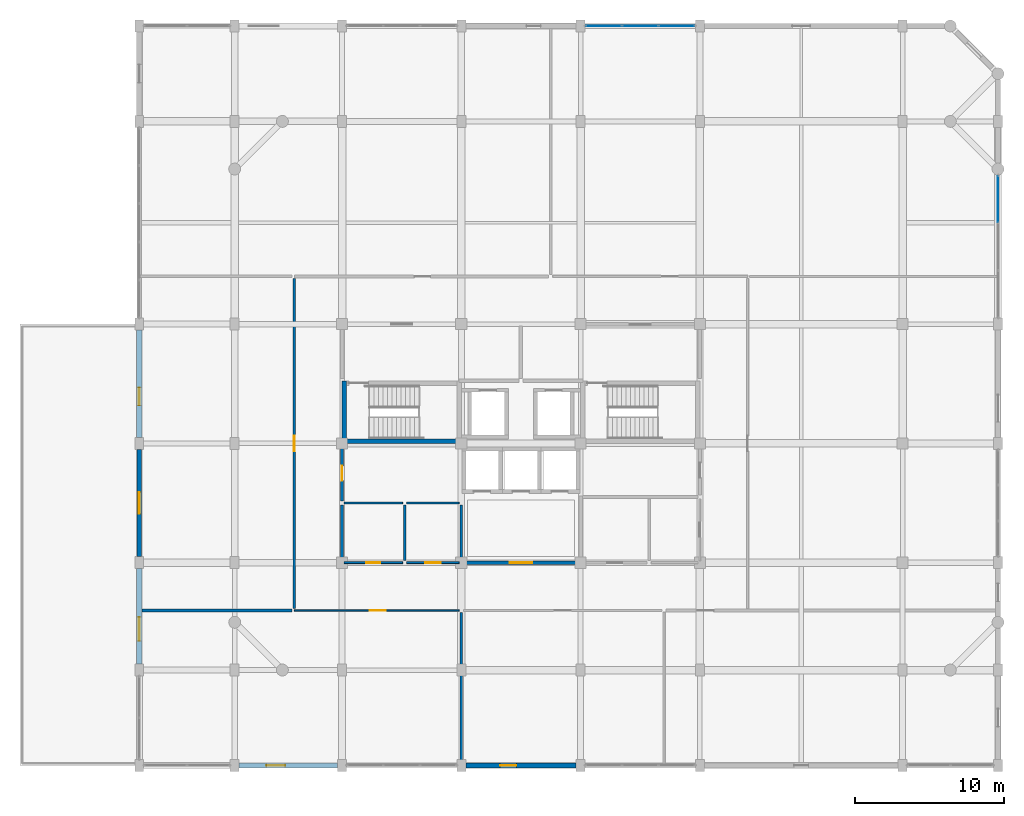
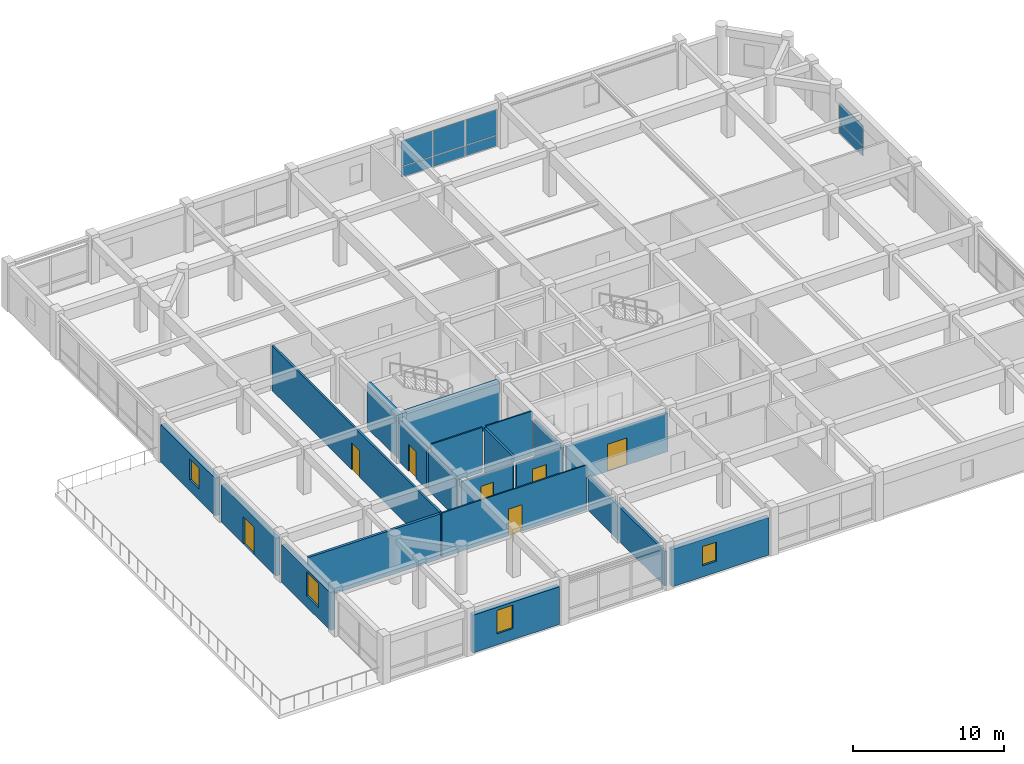
# One storey, part 10 of 14: 20 walls, 8 plates, 7 doors, 4 windows, 11 openings, 2 elements without a shape of their own.
"""IFC4 building model written with IfcOpenShell, lengths in metres."""

from ifc_helpers import new_model, si_unit, direction, frame, frame_2d, origin, origin_2d, place, context, subcontext, project, spatial, rectangle, extrude, material, layer, layer_set, type_object, element, fill, aggregate, save


model = new_model("IFC4")

# Units and contexts
model_context = context("Model", 3, precision=1e-05, world=origin(), true_north=direction((0.0, 1.0)))
body_context = subcontext(model_context, "Body", "Model", "MODEL_VIEW")
ifc_project = project(units=[si_unit("LENGTHUNIT", "METRE"), si_unit("AREAUNIT", "SQUARE_METRE"), si_unit("VOLUMEUNIT", "CUBIC_METRE"), si_unit("PLANEANGLEUNIT", "RADIAN"), si_unit("MASSUNIT", "GRAM", prefix="KILO")], contexts=[model_context])

# Site, building, storey
site_placement = place(None, origin())
site = spatial("IfcSite", under=ifc_project, at=site_placement, CompositionType="ELEMENT")
building_placement = place(site_placement, origin())
building = spatial("IfcBuilding", under=site, at=building_placement, Name="Vellmiral Cinema and Media Centre", CompositionType="ELEMENT")
storey_placement = place(building_placement, frame((0.0, 0.0, 27.800048828125)))
storey = spatial("IfcBuildingStorey", under=building, at=storey_placement, Name="L06", CompositionType="ELEMENT", Elevation=27.800048828125)

# Curtain wall, plate
ifc_material_1 = material(Name="Thermally Broken Aluminium and Triple Glazing", Category="aluminium")
curtain_wall_type = type_object("IfcCurtainWallType", Name="CW-TOWER-LOW-S", PredefinedType="USERDEFINED", material=ifc_material_1)
curtain_wall_1_placement = place(storey_placement, origin())
curtain_wall_1 = element("IfcCurtainWall", 1, at=curtain_wall_1_placement, inside=storey, type_object=curtain_wall_type, Name="Curtain Wall L06-B013", ObjectType="UNITISED CURTAIN WALL", PredefinedType="USERDEFINED")
ifc_material_2 = material(Name="Solar-Control Acoustic Triple Glazing", Category="glass")
ifc_layer_1 = layer(ifc_material_2, 0.0419921875, Name="Solar-Control Acoustic Triple Glazing")
ifc_layer_set_1 = layer_set([ifc_layer_1], Name="Solar-Control Acoustic Triple Glazing")
plate_type_1 = type_object("IfcPlateType", Name="CWP-SOLAR-42", PredefinedType="CURTAIN_PANEL", material=ifc_layer_set_1)
plate_1_placement = place(storey_placement, frame((168.0, 103.583740234375, 0.9326171875), z_axis=(0.0, 0.0, 1.0), x_axis=(0.0, 1.0, 0.0)))
plate_1 = element("IfcPlate", 2, at=plate_1_placement, type_object=plate_type_1, Name="CW-06 panel 3.2", PredefinedType="CURTAIN_PANEL", context=body_context, shape_type="SweptSolid", body=[
    extrude(rectangle(XDim=3.1025390625, YDim=0.0419921875, at=origin_2d()), origin(), (0.0, 0.0, 1.0), 1.577392578125),
])

# Curtain wall, plates
curtain_wall_2_placement = place(storey_placement, origin())
curtain_wall_2 = element("IfcCurtainWall", 3, at=curtain_wall_2_placement, inside=storey, type_object=curtain_wall_type, Name="Curtain Wall L06-B019", ObjectType="UNITISED CURTAIN WALL", PredefinedType="USERDEFINED")
plate_2_placement = place(storey_placement, frame((146.450439453125, 115.199951171875, 0.932373046875), z_axis=(0.0, 0.0, 1.0), x_axis=(-1.0, 0.0, 0.0)))
plate_2 = element("IfcPlate", 4, at=plate_2_placement, type_object=plate_type_1, Name="CW-06 panel 1.2", PredefinedType="CURTAIN_PANEL", context=body_context, shape_type="SweptSolid", body=[
    extrude(rectangle(XDim=2.369140625, YDim=0.0419921875, at=origin_2d()), origin(), (0.0, 0.0, 1.0), 2.04248046875),
])
plate_3_placement = place(storey_placement, frame((144.0, 115.199951171875, 0.932373046875), z_axis=(0.0, 0.0, 1.0), x_axis=(-1.0, 0.0, 0.0)))
plate_3 = element("IfcPlate", 5, at=plate_3_placement, type_object=plate_type_1, Name="CW-06 panel 2.2", PredefinedType="CURTAIN_PANEL", context=body_context, shape_type="SweptSolid", body=[
    extrude(rectangle(XDim=2.401611328125, YDim=0.0419921875, at=origin_2d()), origin(), (0.0, 0.0, 1.0), 2.04248046875),
])
plate_4_placement = place(storey_placement, frame((141.549560546875, 115.199951171875, 0.932373046875), z_axis=(0.0, 0.0, 1.0), x_axis=(-1.0, 0.0, 0.0)))
plate_4 = element("IfcPlate", 6, at=plate_4_placement, type_object=plate_type_1, Name="CW-06 panel 3.2", PredefinedType="CURTAIN_PANEL", context=body_context, shape_type="SweptSolid", body=[
    extrude(rectangle(XDim=2.369140625, YDim=0.0419921875, at=origin_2d()), origin(), (0.0, 0.0, 1.0), 2.04248046875),
])

# Plate
ifc_material_3 = material(Name="Polychrome Trencadis Ceramic Spandrel Panel", Category="ceramic")
ifc_layer_2 = layer(ifc_material_3, 0.052001953125, Name="Polychrome Trencadis Ceramic Spandrel Panel")
ifc_layer_set_2 = layer_set([ifc_layer_2], Name="Polychrome Trencadis Ceramic Spandrel Panel")
plate_type_2 = type_object("IfcPlateType", Name="CWP-TRENC-52", PredefinedType="CURTAIN_PANEL", material=ifc_layer_set_2)
plate_5_placement = place(storey_placement, frame((168.0, 103.583740234375, 0.06494140625), z_axis=(0.0, 0.0, 1.0), x_axis=(0.0, 1.0, 0.0)))
plate_5 = element("IfcPlate", 7, at=plate_5_placement, type_object=plate_type_2, Name="CW-06 panel 3.1", PredefinedType="CURTAIN_PANEL", context=body_context, shape_type="SweptSolid", body=[
    extrude(rectangle(XDim=3.1025390625, YDim=0.052001953125, at=origin_2d()), origin(), (0.0, 0.0, 1.0), 0.802490234375),
])

aggregate(curtain_wall_1, [plate_5, plate_1])

plate_6_placement = place(storey_placement, frame((146.450439453125, 115.199951171875, 0.06494140625), z_axis=(0.0, 0.0, 1.0), x_axis=(-1.0, 0.0, 0.0)))
plate_6 = element("IfcPlate", 8, at=plate_6_placement, type_object=plate_type_2, Name="CW-06 panel 1.1", PredefinedType="CURTAIN_PANEL", context=body_context, shape_type="SweptSolid", body=[
    extrude(rectangle(XDim=2.369140625, YDim=0.052001953125, at=origin_2d()), origin(), (0.0, 0.0, 1.0), 0.802490234375),
])

plate_7_placement = place(storey_placement, frame((144.0, 115.199951171875, 0.06494140625), z_axis=(0.0, 0.0, 1.0), x_axis=(-1.0, 0.0, 0.0)))
plate_7 = element("IfcPlate", 9, at=plate_7_placement, type_object=plate_type_2, Name="CW-06 panel 2.1", PredefinedType="CURTAIN_PANEL", context=body_context, shape_type="SweptSolid", body=[
    extrude(rectangle(XDim=2.401611328125, YDim=0.052001953125, at=origin_2d()), origin(), (0.0, 0.0, 1.0), 0.802490234375),
])

plate_8_placement = place(storey_placement, frame((141.549560546875, 115.199951171875, 0.06494140625), z_axis=(0.0, 0.0, 1.0), x_axis=(-1.0, 0.0, 0.0)))
plate_8 = element("IfcPlate", 10, at=plate_8_placement, type_object=plate_type_2, Name="CW-06 panel 3.1", PredefinedType="CURTAIN_PANEL", context=body_context, shape_type="SweptSolid", body=[
    extrude(rectangle(XDim=2.369140625, YDim=0.052001953125, at=origin_2d()), origin(), (0.0, 0.0, 1.0), 0.802490234375),
])

aggregate(curtain_wall_2, [plate_6, plate_2, plate_7, plate_3, plate_8, plate_4])

# Wall, opening, door
ifc_material_4 = material(Name="Concrete C40/50", Category="concrete")
ifc_layer_3 = layer(ifc_material_4, 0.2099609375, Name="Concrete C40/50")
ifc_layer_set_3 = layer_set([ifc_layer_3], Name="Concrete C40/50")
wall_type_1 = type_object("IfcWallType", Name="WL-COMP-210", PredefinedType="SOLIDWALL", material=ifc_layer_set_3)
wall_1_placement = place(storey_placement, frame((124.0, 83.340087890625, 0.0), z_axis=(0.0, 0.0, 1.0), x_axis=(0.0, 1.0, 0.0)))
wall_1 = element("IfcWall", 11, at=wall_1_placement, inside=storey, type_object=wall_type_1, Name="Electrical and Telecom Riser Room Wall W", PredefinedType="SOLIDWALL", context=body_context, shape_type="SweptSolid", body=[
    extrude(rectangle(XDim=3.719970703125, YDim=0.2099609375, at=frame_2d((1.85986328125, 0.0))), origin(), (0.0, 0.0, 1.0), 3.135009765625),
])
opening_1_placement = place(wall_1_placement, frame((1.360107421875, 0.0, 0.0)))
opening_1 = element("IfcOpeningElement", 12, at=opening_1_placement, cuts=wall_1, Name="Opening D-FD30B", PredefinedType="OPENING", context=body_context, shape_type="SweptSolid", body=[
    extrude(rectangle(XDim=1.0, YDim=2.14990234375, at=frame_2d((0.5, 1.074951171875))), frame((0.0, 0.116943359375, 0.0), z_axis=(0.0, -1.0, 0.0), x_axis=(1.0, 0.0, 0.0)), (0.0, 0.0, 1.0), 0.23388671875),
])
ifc_material_5 = material(Name="Steel Riser Fire Door", Category="steel")
door_type_1 = type_object("IfcDoorType", Name="DR-FD30-1000x2150", OperationType="NOTDEFINED", PredefinedType="DOOR", material=ifc_material_5)
door_1_placement = place(opening_1_placement, frame((1.0, 0.0, 0.0), z_axis=(0.0, 0.0, 1.0), x_axis=(-1.0, 0.0, 0.0)))
door_1 = element("IfcDoor", 13, at=door_1_placement, inside=storey, type_object=door_type_1, Name="Electrical and Telecom Riser Room Door", OperationType="SINGLE_SWING_LEFT", OverallHeight=2.14990234375, OverallWidth=1.0, PredefinedType="DOOR", context=body_context, shape_type="SweptSolid", body=[
    extrude(rectangle(XDim=1.0, YDim=2.14990234375, at=frame_2d((0.5, 1.074951171875))), frame((0.0, 0.02490234375, 0.0), z_axis=(0.0, -1.0, 0.0), x_axis=(1.0, 0.0, 0.0)), (0.0, 0.0, 1.0), 0.050048828125),
])
fill(opening_1, door_1)

# Walls
ifc_material_6 = material(Name="Concrete C40/50", Category="concrete")
ifc_layer_4 = layer(ifc_material_6, 0.300048828125, Name="Concrete C40/50")
ifc_layer_set_4 = layer_set([ifc_layer_4], Name="Concrete C40/50")
wall_type_2 = type_object("IfcWallType", Name="WL-CORE-300", PredefinedType="SHEAR", material=ifc_layer_set_4)
wall_2_placement = place(storey_placement, frame((124.14990234375, 87.199951171875, 0.0), z_axis=(0.0, 0.0, 1.0), x_axis=(0.0, 1.0, 0.0)))
element("IfcWall", 14, at=wall_2_placement, inside=storey, type_object=wall_type_2, Name="Stair Core Wall ST-T1 L06-W", PredefinedType="SHEAR", context=body_context, shape_type="SweptSolid", body=[
    extrude(rectangle(XDim=4.199951171875, YDim=0.300048828125, at=frame_2d((2.10009765625, 0.0))), origin(), (0.0, 0.0, 1.0), 3.619873046875),
])
wall_3_placement = place(storey_placement, frame((124.300048828125, 87.35009765625, 0.0), z_axis=(0.0, 0.0, 1.0), x_axis=(1.0, 0.0, 0.0)))
element("IfcWall", 15, at=wall_3_placement, inside=storey, type_object=wall_type_2, Name="Stair Core Wall ST-T1 L06-S", PredefinedType="SHEAR", context=body_context, shape_type="SweptSolid", body=[
    extrude(rectangle(XDim=7.39990234375, YDim=0.300048828125, at=frame_2d((3.699951171875, 0.0))), origin(), (0.0, 0.0, 1.0), 3.619873046875),
])

# Wall, opening, door
ifc_material_7 = material(Name="Polychrome Glazed Ceramic Cladding", Category="masonry")
ifc_layer_5 = layer(ifc_material_7, 0.320068359375, Name="Polychrome Glazed Ceramic Cladding")
ifc_layer_set_5 = layer_set([ifc_layer_5], Name="Polychrome Glazed Ceramic Cladding")
wall_type_3 = type_object("IfcWallType", Name="WL-EXT-BRICK-320", PredefinedType="SOLIDWALL", material=ifc_layer_set_5)
wall_4_placement = place(storey_placement, frame((110.39990234375, 86.800048828125, 0.0), z_axis=(0.0, 0.0, 1.0), x_axis=(0.0, -1.0, 0.0)))
wall_4 = element("IfcWall", 16, at=wall_4_placement, inside=storey, type_object=wall_type_3, Name="Exterior Facade Wall L06-027", PredefinedType="SOLIDWALL", context=body_context, shape_type="SweptSolid", body=[
    extrude(rectangle(XDim=7.199951171875, YDim=0.320068359375, at=frame_2d((3.60009765625, 0.0))), origin(), (0.0, 0.0, 1.0), 3.0400390625),
])
opening_2_placement = place(wall_4_placement, frame((2.875, 0.0, 0.0)))
opening_2 = element("IfcOpeningElement", 17, at=opening_2_placement, cuts=wall_4, Name="Opening DE-05", PredefinedType="OPENING", context=body_context, shape_type="SweptSolid", body=[
    extrude(rectangle(XDim=1.449951171875, YDim=2.199951171875, at=frame_2d((0.72509765625, 1.10009765625))), frame((0.0, 0.171875, 0.0), z_axis=(0.0, -1.0, 0.0), x_axis=(1.0, 0.0, 0.0)), (0.0, 0.0, 1.0), 0.343994140625),
])
ifc_material_8 = material(Name="Thermally Broken Glazed Aluminium and Bronze Door", Category="aluminium")
door_type_2 = type_object("IfcDoorType", Name="DR-TER-1450x2200", OperationType="DOUBLE_DOOR_SINGLE_SWING", PredefinedType="DOOR", material=ifc_material_8)
door_2_placement = place(opening_2_placement, frame((1.449951171875, 0.0, 0.0), z_axis=(0.0, 0.0, 1.0), x_axis=(-1.0, 0.0, 0.0)))
door_2 = element("IfcDoor", 18, at=door_2_placement, inside=storey, type_object=door_type_2, Name="Tower West Setback Terrace Door", OperationType="DOUBLE_DOOR_SINGLE_SWING", OverallHeight=2.199951171875, OverallWidth=1.449951171875, PredefinedType="DOOR", context=body_context, shape_type="SweptSolid", body=[
    extrude(rectangle(XDim=1.449951171875, YDim=2.199951171875, at=frame_2d((0.72509765625, 1.10009765625))), frame((0.0, 0.02490234375, 0.0), z_axis=(0.0, -1.0, 0.0), x_axis=(1.0, 0.0, 0.0)), (0.0, 0.0, 1.0), 0.050048828125),
])
fill(opening_2, door_2)

# Wall, opening, window
ifc_material_9 = material(Name="Vosges Red Sandstone Masonry", Category="masonry")
ifc_layer_6 = layer(ifc_material_9, 0.340087890625, Name="Vosges Red Sandstone Masonry")
ifc_layer_set_6 = layer_set([ifc_layer_6], Name="Vosges Red Sandstone Masonry")
wall_type_4 = type_object("IfcWallType", Name="WL-EXT-SAND-340", PredefinedType="SOLIDWALL", material=ifc_layer_set_6)
wall_5_placement = place(storey_placement, frame((117.10009765625, 65.60009765625, 0.0), z_axis=(0.0, 0.0, 1.0), x_axis=(1.0, 0.0, 0.0)))
wall_5 = element("IfcWall", 19, at=wall_5_placement, inside=storey, type_object=wall_type_4, Name="Exterior Facade Wall L06-002", PredefinedType="SOLIDWALL", context=body_context, shape_type="SweptSolid", body=[
    extrude(rectangle(XDim=6.599853515625, YDim=0.340087890625, at=frame_2d((3.2998046875, 0.0))), origin(), (0.0, 0.0, 1.0), 3.0400390625),
])
opening_3_placement = place(wall_5_placement, frame((1.824951171875, 0.0, 0.89990234375)))
opening_3 = element("IfcOpeningElement", 20, at=opening_3_placement, cuts=wall_5, Name="Opening WN-09", PredefinedType="OPENING", context=body_context, shape_type="SweptSolid", body=[
    extrude(rectangle(XDim=1.25, YDim=1.89990234375, at=frame_2d((0.625, 0.949951171875))), frame((0.0, 0.18212890625, 0.0), z_axis=(0.0, -1.0, 0.0), x_axis=(1.0, 0.0, 0.0)), (0.0, 0.0, 1.0), 0.364013671875),
])
ifc_material_10 = material(Name="Thermally Broken Aluminium Triple Glazing", Category="aluminium")
window_type_1 = type_object("IfcWindowType", Name="WN-1250x1900", PartitioningType="SINGLE_PANEL", PredefinedType="WINDOW", material=ifc_material_10)
window_1_placement = place(opening_3_placement, origin())
window_1 = element("IfcWindow", 21, at=window_1_placement, inside=storey, type_object=window_type_1, Name="Window L06-002", OverallHeight=1.89990234375, OverallWidth=1.25, PartitioningType="SINGLE_PANEL", PredefinedType="WINDOW", context=body_context, shape_type="SweptSolid", body=[
    extrude(rectangle(XDim=1.25, YDim=1.89990234375, at=frame_2d((0.625, 0.949951171875))), frame((0.0, 0.030029296875, 0.0), z_axis=(0.0, -1.0, 0.0), x_axis=(1.0, 0.0, 0.0)), (0.0, 0.0, 1.0), 0.06005859375),
])
fill(opening_3, window_1)

wall_6_placement = place(storey_placement, frame((132.300048828125, 65.60009765625, 0.0), z_axis=(0.0, 0.0, 1.0), x_axis=(1.0, 0.0, 0.0)))
wall_6 = element("IfcWall", 22, at=wall_6_placement, inside=storey, type_object=wall_type_4, Name="Exterior Facade Wall L06-004", PredefinedType="SOLIDWALL", context=body_context, shape_type="SweptSolid", body=[
    extrude(rectangle(XDim=7.39990234375, YDim=0.340087890625, at=frame_2d((3.699951171875, 0.0))), origin(), (0.0, 0.0, 1.0), 3.02490234375),
])
opening_4_placement = place(wall_6_placement, frame((2.300048828125, 0.0, 0.89990234375)))
opening_4 = element("IfcOpeningElement", 23, at=opening_4_placement, cuts=wall_6, Name="Opening WN-11", PredefinedType="OPENING", context=body_context, shape_type="SweptSolid", body=[
    extrude(rectangle(XDim=1.10009765625, YDim=1.550048828125, at=frame_2d((0.550048828125, 0.77490234375))), frame((0.0, 0.18212890625, 0.0), z_axis=(0.0, -1.0, 0.0), x_axis=(1.0, 0.0, 0.0)), (0.0, 0.0, 1.0), 0.364013671875),
])
ifc_material_11 = material(Name="Thermally Broken Aluminium Triple Glazing", Category="aluminium")
window_type_2 = type_object("IfcWindowType", Name="WN-1100x1550", PartitioningType="SINGLE_PANEL", PredefinedType="WINDOW", material=ifc_material_11)
window_2_placement = place(opening_4_placement, origin())
window_2 = element("IfcWindow", 24, at=window_2_placement, inside=storey, type_object=window_type_2, Name="Window L06-004", OverallHeight=1.550048828125, OverallWidth=1.10009765625, PartitioningType="SINGLE_PANEL", PredefinedType="WINDOW", context=body_context, shape_type="SweptSolid", body=[
    extrude(rectangle(XDim=1.10009765625, YDim=1.550048828125, at=frame_2d((0.550048828125, 0.77490234375))), frame((0.0, 0.030029296875, 0.0), z_axis=(0.0, -1.0, 0.0), x_axis=(1.0, 0.0, 0.0)), (0.0, 0.0, 1.0), 0.06005859375),
])
fill(opening_4, window_2)

wall_7_placement = place(storey_placement, frame((110.39990234375, 94.800048828125, 0.0), z_axis=(0.0, 0.0, 1.0), x_axis=(0.0, -1.0, 0.0)))
wall_7 = element("IfcWall", 25, at=wall_7_placement, inside=storey, type_object=wall_type_4, Name="Exterior Facade Wall L06-026", PredefinedType="SOLIDWALL", context=body_context, shape_type="SweptSolid", body=[
    extrude(rectangle(XDim=7.199951171875, YDim=0.340087890625, at=frame_2d((3.60009765625, 0.0))), origin(), (0.0, 0.0, 1.0), 3.0400390625),
])
opening_5_placement = place(wall_7_placement, frame((3.85009765625, 0.0, 0.89990234375)))
opening_5 = element("IfcOpeningElement", 26, at=opening_5_placement, cuts=wall_7, Name="Opening WN-10", PredefinedType="OPENING", context=body_context, shape_type="SweptSolid", body=[
    extrude(rectangle(XDim=1.199951171875, YDim=1.699951171875, at=frame_2d((0.60009765625, 0.85009765625))), frame((0.0, 0.18212890625, 0.0), z_axis=(0.0, -1.0, 0.0), x_axis=(1.0, 0.0, 0.0)), (0.0, 0.0, 1.0), 0.364013671875),
])
ifc_material_12 = material(Name="Thermally Broken Aluminium Triple Glazing", Category="aluminium")
window_type_3 = type_object("IfcWindowType", Name="WN-1200x1700", PartitioningType="SINGLE_PANEL", PredefinedType="WINDOW", material=ifc_material_12)
window_3_placement = place(opening_5_placement, origin())
window_3 = element("IfcWindow", 27, at=window_3_placement, inside=storey, type_object=window_type_3, Name="Window L06-026", OverallHeight=1.699951171875, OverallWidth=1.199951171875, PartitioningType="SINGLE_PANEL", PredefinedType="WINDOW", context=body_context, shape_type="SweptSolid", body=[
    extrude(rectangle(XDim=1.199951171875, YDim=1.699951171875, at=frame_2d((0.60009765625, 0.85009765625))), frame((0.0, 0.030029296875, 0.0), z_axis=(0.0, -1.0, 0.0), x_axis=(1.0, 0.0, 0.0)), (0.0, 0.0, 1.0), 0.06005859375),
])
fill(opening_5, window_3)

wall_8_placement = place(storey_placement, frame((110.39990234375, 78.800048828125, 0.0), z_axis=(0.0, 0.0, 1.0), x_axis=(0.0, -1.0, 0.0)))
wall_8 = element("IfcWall", 28, at=wall_8_placement, inside=storey, type_object=wall_type_4, Name="Exterior Facade Wall L06-028", PredefinedType="SOLIDWALL", context=body_context, shape_type="SweptSolid", body=[
    extrude(rectangle(XDim=6.400146484375, YDim=0.340087890625, at=frame_2d((3.2001953125, 0.0))), origin(), (0.0, 0.0, 1.0), 3.0400390625),
])
opening_6_placement = place(wall_8_placement, frame((3.25, 0.0, 0.89990234375)))
opening_6 = element("IfcOpeningElement", 29, at=opening_6_placement, cuts=wall_8, Name="Opening WN-05", PredefinedType="OPENING", context=body_context, shape_type="SweptSolid", body=[
    extrude(rectangle(XDim=1.60009765625, YDim=1.949951171875, at=frame_2d((0.800048828125, 0.97509765625))), frame((0.0, 0.18212890625, 0.0), z_axis=(0.0, -1.0, 0.0), x_axis=(1.0, 0.0, 0.0)), (0.0, 0.0, 1.0), 0.364013671875),
])
ifc_material_13 = material(Name="Thermally Broken Aluminium Triple Glazing", Category="aluminium")
window_type_4 = type_object("IfcWindowType", Name="WN-1600x1950", PartitioningType="DOUBLE_PANEL_VERTICAL", PredefinedType="WINDOW", material=ifc_material_13)
window_4_placement = place(opening_6_placement, origin())
window_4 = element("IfcWindow", 30, at=window_4_placement, inside=storey, type_object=window_type_4, Name="Window L06-028", OverallHeight=1.949951171875, OverallWidth=1.60009765625, PartitioningType="DOUBLE_PANEL_VERTICAL", PredefinedType="WINDOW", context=body_context, shape_type="SweptSolid", body=[
    extrude(rectangle(XDim=1.60009765625, YDim=1.949951171875, at=frame_2d((0.800048828125, 0.97509765625))), frame((0.0, 0.030029296875, 0.0), z_axis=(0.0, -1.0, 0.0), x_axis=(1.0, 0.0, 0.0)), (0.0, 0.0, 1.0), 0.06005859375),
])
fill(opening_6, window_4)

# Wall, opening, door
ifc_material_14 = material(Name="Concrete C40/50", Category="concrete")
ifc_layer_7 = layer(ifc_material_14, 0.22998046875, Name="Concrete C40/50")
ifc_layer_set_7 = layer_set([ifc_layer_7], Name="Concrete C40/50")
wall_type_5 = type_object("IfcWallType", Name="WL-FFL-230", PredefinedType="SOLIDWALL", material=ifc_layer_set_7)
wall_9_placement = place(storey_placement, frame((132.139892578125, 79.199951171875, 0.0), z_axis=(0.0, 0.0, 1.0), x_axis=(1.0, 0.0, 0.0)))
wall_9 = element("IfcWall", 31, at=wall_9_placement, inside=storey, type_object=wall_type_5, Name="Tower Passenger Lift Lobby Wall S", PredefinedType="SOLIDWALL", context=body_context, shape_type="SweptSolid", body=[
    extrude(rectangle(XDim=7.72021484375, YDim=0.22998046875, at=frame_2d((3.860107421875, 0.0))), origin(), (0.0, 0.0, 1.0), 3.0849609375),
])
opening_7_placement = place(wall_9_placement, frame((3.110107421875, 0.0, 0.0)))
opening_7 = element("IfcOpeningElement", 32, at=opening_7_placement, cuts=wall_9, Name="Opening D-FD30", PredefinedType="OPENING", context=body_context, shape_type="SweptSolid", body=[
    extrude(rectangle(XDim=1.5, YDim=2.199951171875, at=frame_2d((0.75, 1.10009765625))), frame((0.0, 0.126953125, 0.0), z_axis=(0.0, -1.0, 0.0), x_axis=(1.0, 0.0, 0.0)), (0.0, 0.0, 1.0), 0.25390625),
])
ifc_material_15 = material(Name="Timber-Core Fire Door", Category="wood")
door_type_3 = type_object("IfcDoorType", Name="DR-FD30-1500x2200", OperationType="DOUBLE_DOOR_SINGLE_SWING", PredefinedType="DOOR", material=ifc_material_15)
door_3_placement = place(opening_7_placement, frame((1.5, 0.0, 0.0), z_axis=(0.0, 0.0, 1.0), x_axis=(-1.0, 0.0, 0.0)))
door_3 = element("IfcDoor", 33, at=door_3_placement, inside=storey, type_object=door_type_3, Name="Tower Passenger Lift Lobby Door", OperationType="DOUBLE_DOOR_SINGLE_SWING", OverallHeight=2.199951171875, OverallWidth=1.5, PredefinedType="DOOR", context=body_context, shape_type="SweptSolid", body=[
    extrude(rectangle(XDim=1.5, YDim=2.199951171875, at=frame_2d((0.75, 1.10009765625))), frame((0.0, 0.02490234375, 0.0), z_axis=(0.0, -1.0, 0.0), x_axis=(1.0, 0.0, 0.0)), (0.0, 0.0, 1.0), 0.050048828125),
])
fill(opening_7, door_3)

# Walls
ifc_material_16 = material(Name="Gypsum Plasterboard")
ifc_layer_8 = layer(ifc_material_16, 0.02490234375, Name="Gypsum Plasterboard", Category="gypsum")
ifc_material_17 = material(Name="Mineral Wool Acoustic Insulation", Category="insulation")
ifc_layer_9 = layer(ifc_material_17, 0.06005859375, Name="Mineral Wool Acoustic Insulation", Category="insulation")
ifc_layer_10 = layer(ifc_material_16, 0.02490234375, Name="Gypsum Plasterboard", Category="gypsum")
ifc_layer_set_8 = layer_set([ifc_layer_8, ifc_layer_9, ifc_layer_10], Name="Gypsum Plasterboard")
wall_type_6 = type_object("IfcWallType", Name="WL-PART-110", PredefinedType="PARTITIONING", material=ifc_layer_set_8)
wall_10_placement = place(storey_placement, frame((124.139892578125, 83.199951171875, 0.0), z_axis=(0.0, 0.0, 1.0), x_axis=(1.0, 0.0, 0.0)))
element("IfcWall", 34, at=wall_10_placement, inside=storey, type_object=wall_type_6, Name="Staff WC Wall N", PredefinedType="PARTITIONING", context=body_context, shape_type="SweptSolid", body=[
    extrude(rectangle(XDim=3.920166015625, YDim=0.110107421875, at=frame_2d((1.9599609375, 0.0))), origin(), (0.0, 0.0, 1.0), 3.619873046875),
])
wall_11_placement = place(storey_placement, frame((128.340087890625, 83.199951171875, 0.0), z_axis=(0.0, 0.0, 1.0), x_axis=(1.0, 0.0, 0.0)))
element("IfcWall", 35, at=wall_11_placement, inside=storey, type_object=wall_type_6, Name="Accessible WC Wall N", PredefinedType="PARTITIONING", context=body_context, shape_type="SweptSolid", body=[
    extrude(rectangle(XDim=3.52001953125, YDim=0.110107421875, at=frame_2d((1.760009765625, 0.0))), origin(), (0.0, 0.0, 1.0), 3.619873046875),
])

# Wall, opening, door
wall_12_placement = place(storey_placement, frame((120.800048828125, 76.0, 0.0), z_axis=(0.0, 0.0, 1.0), x_axis=(1.0, 0.0, 0.0)))
wall_12 = element("IfcWall", 36, at=wall_12_placement, inside=storey, type_object=wall_type_6, Name="South-West VFX Production Office Wall N", PredefinedType="PARTITIONING", context=body_context, shape_type="SweptSolid", body=[
    extrude(rectangle(XDim=11.06005859375, YDim=0.110107421875, at=frame_2d((5.530029296875, 0.0))), origin(), (0.0, 0.0, 1.0), 3.619873046875),
])
opening_8_placement = place(wall_12_placement, frame((5.074951171875, 0.0, 0.0)))
opening_8 = element("IfcOpeningElement", 37, at=opening_8_placement, cuts=wall_12, Name="Opening D-I07", PredefinedType="OPENING", context=body_context, shape_type="SweptSolid", body=[
    extrude(rectangle(XDim=1.050048828125, YDim=2.14990234375, at=frame_2d((0.52490234375, 1.074951171875))), frame((0.0, 0.06689453125, 0.0), z_axis=(0.0, -1.0, 0.0), x_axis=(1.0, 0.0, 0.0)), (0.0, 0.0, 1.0), 0.134033203125),
])
ifc_material_18 = material(Name="Laminated Timber Door", Category="wood")
door_type_4 = type_object("IfcDoorType", Name="DR-INT-1050x2150", OperationType="NOTDEFINED", PredefinedType="DOOR", material=ifc_material_18)
door_4_placement = place(opening_8_placement, frame((1.050048828125, 0.0, 0.0), z_axis=(0.0, 0.0, 1.0), x_axis=(-1.0, 0.0, 0.0)))
door_4 = element("IfcDoor", 38, at=door_4_placement, inside=storey, type_object=door_type_4, Name="South-West VFX Production Office Door", OperationType="SINGLE_SWING_LEFT", OverallHeight=2.14990234375, OverallWidth=1.050048828125, PredefinedType="DOOR", context=body_context, shape_type="SweptSolid", body=[
    extrude(rectangle(XDim=1.050048828125, YDim=2.14990234375, at=frame_2d((0.52490234375, 1.074951171875))), frame((0.0, 0.02490234375, 0.0), z_axis=(0.0, -1.0, 0.0), x_axis=(1.0, 0.0, 0.0)), (0.0, 0.0, 1.0), 0.050048828125),
])
fill(opening_8, door_4)

ifc_material_19 = material(Name="Gypsum Plasterboard")
ifc_layer_11 = layer(ifc_material_19, 0.02490234375, Name="Gypsum Plasterboard", Category="gypsum")
ifc_material_20 = material(Name="Mineral Wool Acoustic Insulation", Category="insulation")
ifc_layer_12 = layer(ifc_material_20, 0.080078125, Name="Mineral Wool Acoustic Insulation", Category="insulation")
ifc_layer_13 = layer(ifc_material_19, 0.02490234375, Name="Gypsum Plasterboard", Category="gypsum")
ifc_layer_set_9 = layer_set([ifc_layer_11, ifc_layer_12, ifc_layer_13], Name="Gypsum Plasterboard")
wall_type_7 = type_object("IfcWallType", Name="WL-PART-130", PredefinedType="PARTITIONING", material=ifc_layer_set_9)
wall_13_placement = place(storey_placement, frame((124.139892578125, 79.199951171875, 0.0), z_axis=(0.0, 0.0, 1.0), x_axis=(1.0, 0.0, 0.0)))
wall_13 = element("IfcWall", 39, at=wall_13_placement, inside=storey, type_object=wall_type_7, Name="Staff WC Wall S", PredefinedType="PARTITIONING", context=body_context, shape_type="SweptSolid", body=[
    extrude(rectangle(XDim=3.920166015625, YDim=0.1298828125, at=frame_2d((1.9599609375, 0.0))), origin(), (0.0, 0.0, 1.0), 3.034912109375),
])
opening_9_placement = place(wall_13_placement, frame((1.485107421875, 0.0, 0.0)))
opening_9 = element("IfcOpeningElement", 40, at=opening_9_placement, cuts=wall_13, Name="Opening D-I09", PredefinedType="OPENING", context=body_context, shape_type="SweptSolid", body=[
    extrude(rectangle(XDim=0.949951171875, YDim=2.14990234375, at=frame_2d((0.47509765625, 1.074951171875))), frame((0.0, 0.076904296875, 0.0), z_axis=(0.0, -1.0, 0.0), x_axis=(1.0, 0.0, 0.0)), (0.0, 0.0, 1.0), 0.15380859375),
])
ifc_material_21 = material(Name="Moisture-Resistant Timber Door", Category="wood")
door_type_5 = type_object("IfcDoorType", Name="DR-INT-950x2150", OperationType="NOTDEFINED", PredefinedType="DOOR", material=ifc_material_21)
door_5_placement = place(opening_9_placement, origin())
door_5 = element("IfcDoor", 41, at=door_5_placement, inside=storey, type_object=door_type_5, Name="Staff WC Door", OperationType="SINGLE_SWING_LEFT", OverallHeight=2.14990234375, OverallWidth=0.949951171875, PredefinedType="DOOR", context=body_context, shape_type="SweptSolid", body=[
    extrude(rectangle(XDim=0.949951171875, YDim=2.14990234375, at=frame_2d((0.47509765625, 1.074951171875))), frame((0.0, 0.02490234375, 0.0), z_axis=(0.0, -1.0, 0.0), x_axis=(1.0, 0.0, 0.0)), (0.0, 0.0, 1.0), 0.050048828125),
])
fill(opening_9, door_5)

wall_14_placement = place(storey_placement, frame((128.340087890625, 79.199951171875, 0.0), z_axis=(0.0, 0.0, 1.0), x_axis=(1.0, 0.0, 0.0)))
wall_14 = element("IfcWall", 42, at=wall_14_placement, inside=storey, type_object=wall_type_7, Name="Accessible WC Wall S", PredefinedType="PARTITIONING", context=body_context, shape_type="SweptSolid", body=[
    extrude(rectangle(XDim=3.52001953125, YDim=0.1298828125, at=frame_2d((1.760009765625, 0.0))), origin(), (0.0, 0.0, 1.0), 3.034912109375),
])
opening_10_placement = place(wall_14_placement, frame((1.235107421875, 0.0, 0.0)))
opening_10 = element("IfcOpeningElement", 43, at=opening_10_placement, cuts=wall_14, Name="Opening D-I10", PredefinedType="OPENING", context=body_context, shape_type="SweptSolid", body=[
    extrude(rectangle(XDim=1.050048828125, YDim=2.14990234375, at=frame_2d((0.52490234375, 1.074951171875))), frame((0.0, 0.076904296875, 0.0), z_axis=(0.0, -1.0, 0.0), x_axis=(1.0, 0.0, 0.0)), (0.0, 0.0, 1.0), 0.15380859375),
])
ifc_material_22 = material(Name="Barrier-Free Timber Door", Category="wood")
door_type_6 = type_object("IfcDoorType", Name="DR-ACC-1050x2150", OperationType="NOTDEFINED", PredefinedType="DOOR", material=ifc_material_22)
door_6_placement = place(opening_10_placement, origin())
door_6 = element("IfcDoor", 44, at=door_6_placement, inside=storey, type_object=door_type_6, Name="Accessible WC Door", OperationType="SINGLE_SWING_RIGHT", OverallHeight=2.14990234375, OverallWidth=1.050048828125, PredefinedType="DOOR", context=body_context, shape_type="SweptSolid", body=[
    extrude(rectangle(XDim=1.050048828125, YDim=2.14990234375, at=frame_2d((0.52490234375, 1.074951171875))), frame((0.0, 0.02490234375, 0.0), z_axis=(0.0, -1.0, 0.0), x_axis=(1.0, 0.0, 0.0)), (0.0, 0.0, 1.0), 0.050048828125),
])
fill(opening_10, door_6)

ifc_material_23 = material(Name="Gypsum Plasterboard")
ifc_layer_14 = layer(ifc_material_23, 0.02490234375, Name="Gypsum Plasterboard", Category="gypsum")
ifc_material_24 = material(Name="Mineral Wool Acoustic Insulation", Category="insulation")
ifc_layer_15 = layer(ifc_material_24, 0.10009765625, Name="Mineral Wool Acoustic Insulation", Category="insulation")
ifc_layer_16 = layer(ifc_material_23, 0.02490234375, Name="Gypsum Plasterboard", Category="gypsum")
ifc_layer_set_10 = layer_set([ifc_layer_14, ifc_layer_15, ifc_layer_16], Name="Gypsum Plasterboard")
wall_type_8 = type_object("IfcWallType", Name="WL-PART-150", PredefinedType="PARTITIONING", material=ifc_layer_set_10)
wall_15_placement = place(storey_placement, frame((120.800048828125, 76.139892578125, 0.0), z_axis=(0.0, 0.0, 1.0), x_axis=(0.0, 1.0, 0.0)))
wall_15 = element("IfcWall", 45, at=wall_15_placement, inside=storey, type_object=wall_type_8, Name="West Setback Terrace Media Lounge Wall E", PredefinedType="PARTITIONING", context=body_context, shape_type="SweptSolid", body=[
    extrude(rectangle(XDim=22.1201171875, YDim=0.14990234375, at=frame_2d((11.06005859375, 0.0))), origin(), (0.0, 0.0, 1.0), 3.619873046875),
])
opening_11_placement = place(wall_15_placement, frame((10.534912109375, 0.0, 0.0)))
opening_11 = element("IfcOpeningElement", 46, at=opening_11_placement, cuts=wall_15, Name="Opening D-I07", PredefinedType="OPENING", context=body_context, shape_type="SweptSolid", body=[
    extrude(rectangle(XDim=1.050048828125, YDim=2.14990234375, at=frame_2d((0.52490234375, 1.074951171875))), frame((0.0, 0.0869140625, 0.0), z_axis=(0.0, -1.0, 0.0), x_axis=(1.0, 0.0, 0.0)), (0.0, 0.0, 1.0), 0.173828125),
])
door_7_placement = place(opening_11_placement, frame((1.050048828125, 0.0, 0.0), z_axis=(0.0, 0.0, 1.0), x_axis=(-1.0, 0.0, 0.0)))
door_7 = element("IfcDoor", 47, at=door_7_placement, inside=storey, type_object=door_type_4, Name="West Setback Terrace Media Lounge Door", OperationType="SINGLE_SWING_RIGHT", OverallHeight=2.14990234375, OverallWidth=1.050048828125, PredefinedType="DOOR", context=body_context, shape_type="SweptSolid", body=[
    extrude(rectangle(XDim=1.050048828125, YDim=2.14990234375, at=frame_2d((0.52490234375, 1.074951171875))), frame((0.0, 0.02490234375, 0.0), z_axis=(0.0, -1.0, 0.0), x_axis=(1.0, 0.0, 0.0)), (0.0, 0.0, 1.0), 0.050048828125),
])
fill(opening_11, door_7)

# Walls
ifc_material_25 = material(Name="Gypsum Plasterboard")
ifc_layer_17 = layer(ifc_material_25, 0.02490234375, Name="Gypsum Plasterboard", Category="gypsum")
ifc_material_26 = material(Name="Mineral Wool Acoustic Insulation", Category="insulation")
ifc_layer_18 = layer(ifc_material_26, 0.1201171875, Name="Mineral Wool Acoustic Insulation", Category="insulation")
ifc_layer_19 = layer(ifc_material_25, 0.02490234375, Name="Gypsum Plasterboard", Category="gypsum")
ifc_layer_set_11 = layer_set([ifc_layer_17, ifc_layer_18, ifc_layer_19], Name="Gypsum Plasterboard")
wall_type_9 = type_object("IfcWallType", Name="WL-PART-170", PredefinedType="PARTITIONING", material=ifc_layer_set_11)
wall_16_placement = place(storey_placement, frame((128.199951171875, 79.340087890625, 0.0), z_axis=(0.0, 0.0, 1.0), x_axis=(0.0, 1.0, 0.0)))
element("IfcWall", 48, at=wall_16_placement, inside=storey, type_object=wall_type_9, Name="Staff WC Wall E", PredefinedType="PARTITIONING", context=body_context, shape_type="SweptSolid", body=[
    extrude(rectangle(XDim=3.719970703125, YDim=0.169921875, at=frame_2d((1.85986328125, 0.0))), origin(), (0.0, 0.0, 1.0), 3.619873046875),
])
ifc_material_27 = material(Name="Gypsum Plasterboard")
ifc_layer_20 = layer(ifc_material_27, 0.02490234375, Name="Gypsum Plasterboard", Category="gypsum")
ifc_material_28 = material(Name="Mineral Wool Acoustic Insulation", Category="insulation")
ifc_layer_21 = layer(ifc_material_28, 0.139892578125, Name="Mineral Wool Acoustic Insulation", Category="insulation")
ifc_layer_22 = layer(ifc_material_27, 0.02490234375, Name="Gypsum Plasterboard", Category="gypsum")
ifc_layer_set_12 = layer_set([ifc_layer_20, ifc_layer_21, ifc_layer_22], Name="Gypsum Plasterboard")
wall_type_10 = type_object("IfcWallType", Name="WL-PART-190", PredefinedType="PARTITIONING", material=ifc_layer_set_12)
wall_17_placement = place(storey_placement, frame((124.0, 79.340087890625, 0.0), z_axis=(0.0, 0.0, 1.0), x_axis=(0.0, 1.0, 0.0)))
element("IfcWall", 49, at=wall_17_placement, inside=storey, type_object=wall_type_10, Name="Staff WC Wall W", PredefinedType="PARTITIONING", context=body_context, shape_type="SweptSolid", body=[
    extrude(rectangle(XDim=3.719970703125, YDim=0.18994140625, at=frame_2d((1.85986328125, 0.0))), origin(), (0.0, 0.0, 1.0), 3.135009765625),
])
wall_18_placement = place(storey_placement, frame((132.0, 79.340087890625, 0.0), z_axis=(0.0, 0.0, 1.0), x_axis=(0.0, 1.0, 0.0)))
element("IfcWall", 50, at=wall_18_placement, inside=storey, type_object=wall_type_10, Name="Accessible WC Wall E", PredefinedType="PARTITIONING", context=body_context, shape_type="SweptSolid", body=[
    extrude(rectangle(XDim=3.719970703125, YDim=0.18994140625, at=frame_2d((1.85986328125, 0.0))), origin(), (0.0, 0.0, 1.0), 2.93505859375),
])
wall_19_placement = place(storey_placement, frame((110.5849609375, 76.0, 0.0), z_axis=(0.0, 0.0, 1.0), x_axis=(1.0, 0.0, 0.0)))
element("IfcWall", 51, at=wall_19_placement, inside=storey, type_object=wall_type_10, Name="West Setback Terrace Media Lounge Wall S", PredefinedType="PARTITIONING", context=body_context, shape_type="SweptSolid", body=[
    extrude(rectangle(XDim=10.074951171875, YDim=0.18994140625, at=frame_2d((5.03759765625, 0.0))), origin(), (0.0, 0.0, 1.0), 3.619873046875),
])
wall_20_placement = place(storey_placement, frame((132.0, 65.784912109375, 0.0), z_axis=(0.0, 0.0, 1.0), x_axis=(0.0, 1.0, 0.0)))
element("IfcWall", 52, at=wall_20_placement, inside=storey, type_object=wall_type_10, Name="South-West VFX Production Office Wall E", PredefinedType="PARTITIONING", context=body_context, shape_type="SweptSolid", body=[
    extrude(rectangle(XDim=10.0751953125, YDim=0.18994140625, at=frame_2d((5.03759765625, 0.0))), origin(), (0.0, 0.0, 1.0), 2.784912109375),
])

save(model, "model.ifc")
